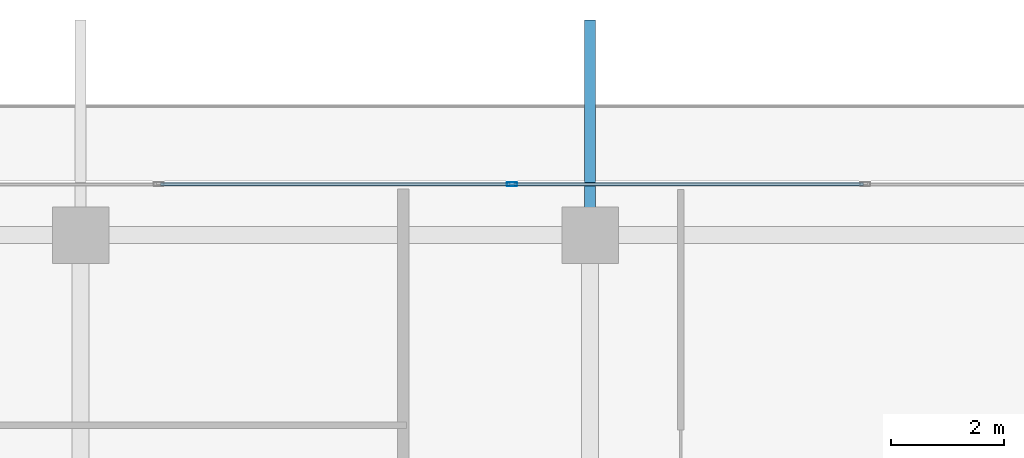
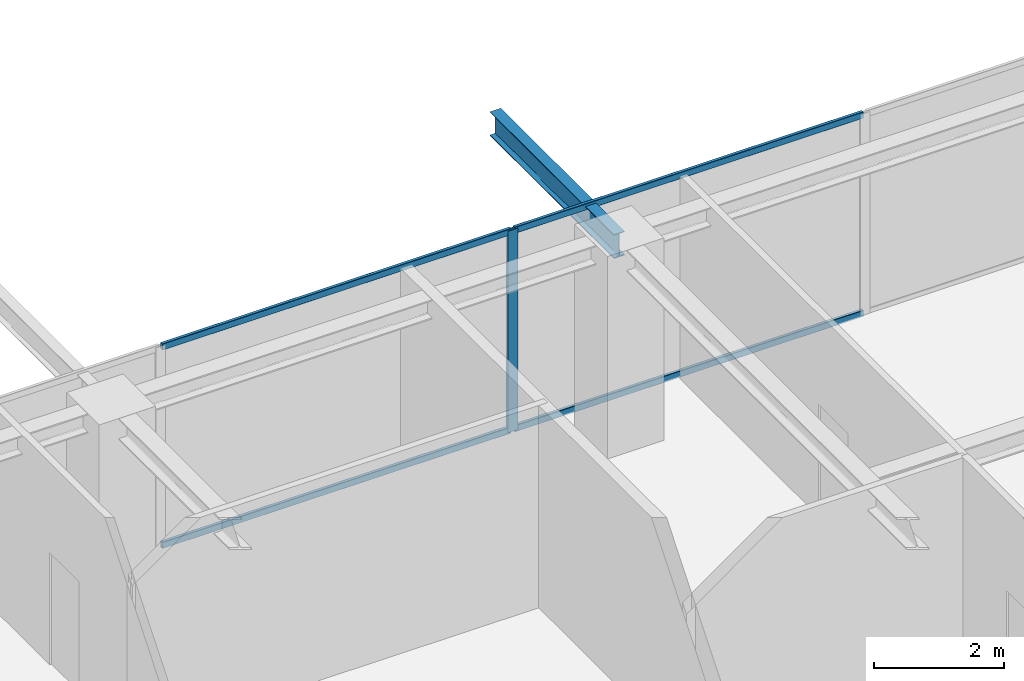
# One storey, part 24 of 42: 5 members, 1 beam, 1 element without a shape of its own.
"""IFC4 building model written with IfcOpenShell, lengths in metres."""

from ifc_helpers import new_model, si_unit, direction, frame, origin, origin_2d, place, context, subcontext, project, spatial, hollow_rectangle, i_section, extrude, source, transform, mapped, material, layer, layer_set, material_profile, profile_set, type_object, element, aggregate, save


model = new_model("IFC4")

# Units and contexts
model_context = context("Model", 3, precision=1e-05, world=origin(), true_north=direction((0.0, 1.0)))
body_context = subcontext(model_context, "Body", "Model", "MODEL_VIEW")
ifc_project = project(units=[si_unit("LENGTHUNIT", "METRE"), si_unit("AREAUNIT", "SQUARE_METRE"), si_unit("VOLUMEUNIT", "CUBIC_METRE"), si_unit("PLANEANGLEUNIT", "RADIAN"), si_unit("MASSUNIT", "GRAM", prefix="KILO")], contexts=[model_context])

# Site, building, storey
site_placement = place(None, origin())
site = spatial("IfcSite", under=ifc_project, at=site_placement, CompositionType="ELEMENT")
building_placement = place(site_placement, origin())
building = spatial("IfcBuilding", under=site, at=building_placement, Name="Serunith Strait Residences", CompositionType="ELEMENT")
storey_placement = place(building_placement, frame((0.0, 0.0, 325.85009765625)))
storey = spatial("IfcBuildingStorey", under=building, at=storey_placement, Name="L81", CompositionType="ELEMENT", Elevation=325.85009765625)

# Beam
ifc_material_1 = material(Name="Steel S355J2", Category="steel")
ifc_material_profile_1 = material_profile(ifc_material_1, i_section(OverallWidth=0.18994140625, OverallDepth=0.449951171875, WebThickness=0.009521484375, FlangeThickness=0.0146484375, FilletRadius=0.02099609375, at=origin_2d()), Name="IPE 450")
ifc_profile_set_1 = profile_set([ifc_material_profile_1], Name="Steel S355J2")
beam_type = type_object("IfcBeamType", Name="BM-IPE450", PredefinedType="JOIST", material=ifc_profile_set_1)
shared_shape_1 = source(origin(), body_context, "Body", "SweptSolid", [
    extrude(i_section(OverallWidth=0.18994140625, OverallDepth=0.449951171875, WebThickness=0.009521484375, FlangeThickness=0.0146484375, FilletRadius=0.02099609375, at=origin_2d()), origin(), (0.0, 0.0, 1.0), 3.7998046875),
])
beam_placement = place(storey_placement, frame((36.89990234375, 47.10009765625, 3.531982421875), z_axis=(0.0, 1.0, 0.0), x_axis=(-1.0, 0.0, 0.0)))
element("IfcBeam", 1, at=beam_placement, inside=storey, type_object=beam_type, Name="L82 Cantilevered Balcony Rib TC-N3", PredefinedType="JOIST", context=body_context, shape_type="MappedRepresentation", body=[
    mapped(shared_shape_1, transform((0.0, 0.0, 0.0), scale=1.0)),
])

# Curtain wall, members
ifc_material_2 = material(Name="Brushed Stainless-Silver Aluminium", Category="aluminium")
ifc_layer = layer(ifc_material_2, 0.199951171875, Name="Brushed Stainless-Silver Aluminium")
ifc_layer_set = layer_set([ifc_layer], Name="Brushed Stainless-Silver Aluminium")
curtain_wall_type = type_object("IfcCurtainWallType", Name="CW-SYS5", PredefinedType="NOTDEFINED", material=ifc_layer_set)
curtain_wall_placement = place(storey_placement, origin())
curtain_wall = element("IfcCurtainWall", 2, at=curtain_wall_placement, inside=storey, type_object=curtain_wall_type, Name="L81 N Unitised Fritted Curtain Wall", PredefinedType="NOTDEFINED")
ifc_material_profile_2 = material_profile(ifc_material_2, hollow_rectangle(XDim=0.06005859375, YDim=0.1201171875, WallThickness=0.00341796875, InnerFilletRadius=0.00537109375, OuterFilletRadius=0.0087890625, at=origin_2d()), Name="ALU 120x60x3.5")
ifc_profile_set_2 = profile_set([ifc_material_profile_2], Name="Brushed Stainless-Silver Aluminium")
member_type_1 = type_object("IfcMemberType", Name="CW-SYS5-TRAN", PredefinedType="USERDEFINED", material=ifc_profile_set_2)
shared_shape_2 = source(origin(), body_context, "Body", "SweptSolid", [
    extrude(hollow_rectangle(XDim=0.06005859375, YDim=0.1201171875, WallThickness=0.00341796875, InnerFilletRadius=0.00537109375, OuterFilletRadius=0.0087890625, at=origin_2d()), origin(), (0.0, 0.0, 1.0), 6.175048828125),
])
member_1_placement = place(storey_placement, frame((41.7275390625, 48.0, 0.02978515625), z_axis=(-1.0, 0.0, 0.0), x_axis=(0.0, -1.0, 0.0)))
member_1 = element("IfcMember", 3, at=member_1_placement, type_object=member_type_1, Name="CW-5 transom 2.1", ObjectType="TRANSOM", PredefinedType="USERDEFINED", context=body_context, shape_type="MappedRepresentation", body=[
    mapped(shared_shape_2, transform((0.0, 0.0, 0.0), scale=1.0)),
])
member_2_placement = place(storey_placement, frame((41.7275390625, 48.0, 3.744873046875), z_axis=(-1.0, 0.0, 0.0), x_axis=(0.0, -1.0, 0.0)))
member_2 = element("IfcMember", 4, at=member_2_placement, type_object=member_type_1, Name="CW-5 transom 2.2", ObjectType="TRANSOM", PredefinedType="USERDEFINED", context=body_context, shape_type="MappedRepresentation", body=[
    mapped(shared_shape_2, transform((0.0, 0.0, 0.0), scale=1.0)),
])
member_3_placement = place(storey_placement, frame((35.487548828125, 48.0, 0.02978515625), z_axis=(-1.0, 0.0, 0.0), x_axis=(0.0, -1.0, 0.0)))
member_3 = element("IfcMember", 5, at=member_3_placement, type_object=member_type_1, Name="CW-5 transom 3.1", ObjectType="TRANSOM", PredefinedType="USERDEFINED", context=body_context, shape_type="MappedRepresentation", body=[
    mapped(shared_shape_2, transform((0.0, 0.0, 0.0), scale=1.0)),
])
member_4_placement = place(storey_placement, frame((35.487548828125, 48.0, 3.744873046875), z_axis=(-1.0, 0.0, 0.0), x_axis=(0.0, -1.0, 0.0)))
member_4 = element("IfcMember", 6, at=member_4_placement, type_object=member_type_1, Name="CW-5 transom 3.2", ObjectType="TRANSOM", PredefinedType="USERDEFINED", context=body_context, shape_type="MappedRepresentation", body=[
    mapped(shared_shape_2, transform((0.0, 0.0, 0.0), scale=1.0)),
])
ifc_material_profile_3 = material_profile(ifc_material_2, hollow_rectangle(XDim=0.06494140625, YDim=0.179931640625, WallThickness=0.00341796875, InnerFilletRadius=0.00537109375, OuterFilletRadius=0.0087890625, at=origin_2d()), Name="ALU 180x65x3.5")
ifc_profile_set_3 = profile_set([ifc_material_profile_3], Name="Brushed Stainless-Silver Aluminium")
member_type_2 = type_object("IfcMemberType", Name="CW-SYS5-MULL", PredefinedType="MULLION", material=ifc_profile_set_3)
shared_shape_3 = source(origin(), body_context, "Body", "SweptSolid", [
    extrude(hollow_rectangle(XDim=0.06494140625, YDim=0.179931640625, WallThickness=0.00341796875, InnerFilletRadius=0.00537109375, OuterFilletRadius=0.0087890625, at=origin_2d()), origin(), (0.0, 0.0, 1.0), 3.77490234375),
])
member_5_placement = place(storey_placement, frame((35.52001953125, 48.0, 0.0), z_axis=(0.0, 0.0, 1.0), x_axis=(0.0, -1.0, 0.0)))
member_5 = element("IfcMember", 7, at=member_5_placement, type_object=member_type_2, Name="CW-5 mullion 3", PredefinedType="MULLION", context=body_context, shape_type="MappedRepresentation", body=[
    mapped(shared_shape_3, transform((0.0, 0.0, 0.0), scale=1.0)),
])
aggregate(curtain_wall, [member_5, member_1, member_2, member_3, member_4])

save(model, "model.ifc")
